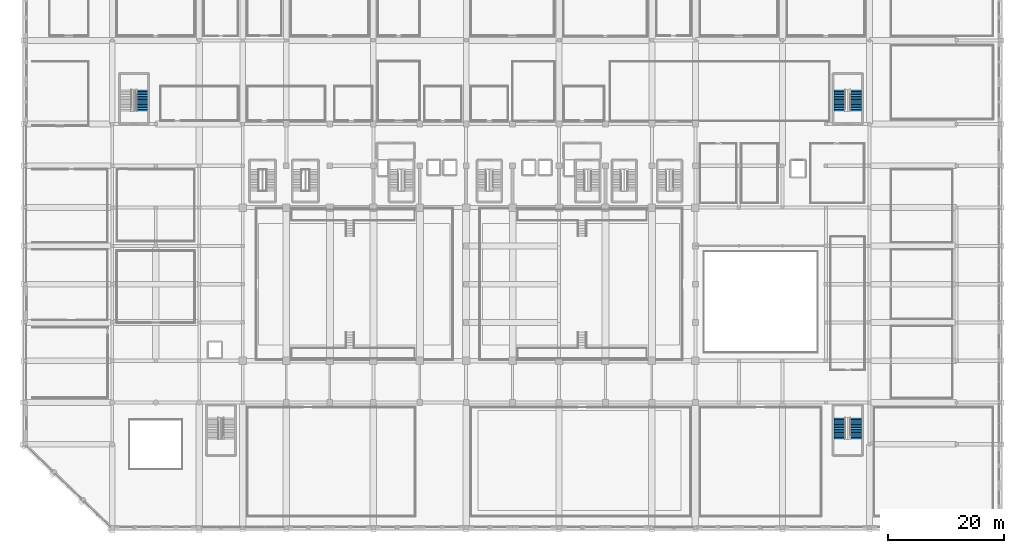
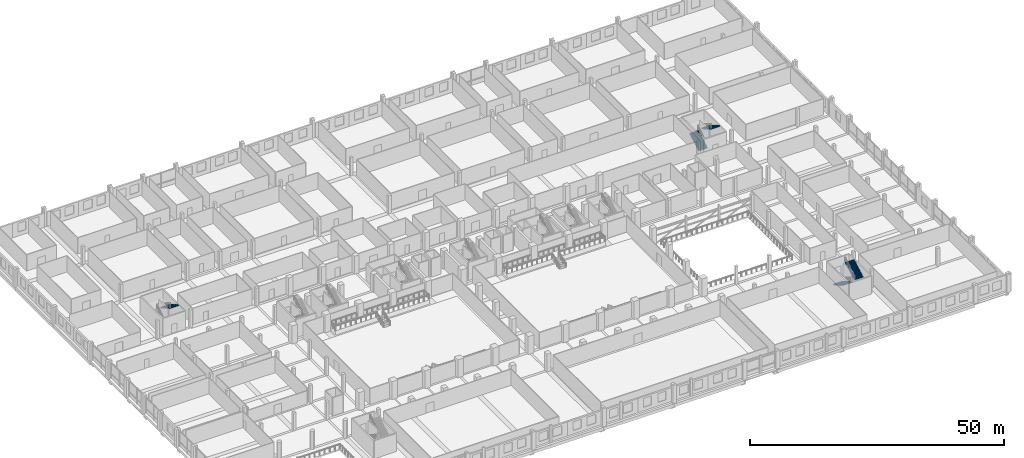
# One storey, part 57 of 68: 5 stair flights, 3 elements without a shape of their own.
"""IFC4 building model written with IfcOpenShell, lengths in metres."""

from ifc_helpers import new_model, si_unit, direction, frame, origin, place, context, subcontext, project, spatial, polyline, outline, extrude, material, type_object, element, aggregate, save


model = new_model("IFC4")

# Units and contexts
model_context = context("Model", 3, precision=1e-05, world=origin(), true_north=direction((0.0, 1.0)))
body_context = subcontext(model_context, "Body", "Model", "MODEL_VIEW")
ifc_project = project(units=[si_unit("LENGTHUNIT", "METRE"), si_unit("AREAUNIT", "SQUARE_METRE"), si_unit("VOLUMEUNIT", "CUBIC_METRE"), si_unit("PLANEANGLEUNIT", "RADIAN"), si_unit("MASSUNIT", "GRAM", prefix="KILO")], contexts=[model_context])

# Site, building, storey
site_placement = place(None, origin())
site = spatial("IfcSite", under=ifc_project, at=site_placement, CompositionType="ELEMENT")
building_placement = place(site_placement, origin())
building = spatial("IfcBuilding", under=site, at=building_placement, Name="Akrevak Sports Hall", CompositionType="ELEMENT")
storey_placement = place(building_placement, frame((0.0, 0.0, 9.39990234375)))
storey = spatial("IfcBuildingStorey", under=building, at=storey_placement, Name="L02", CompositionType="ELEMENT", Elevation=9.39990234375)

# Stair, stair flight
ifc_material = material(Name="Concrete C40/50", Category="concrete")
stair_type = type_object("IfcStairType", Name="ARC-STR-PDOG-460", PredefinedType="HALF_TURN_STAIR", material=ifc_material)
stair_1_placement = place(storey_placement, origin())
stair_1 = element("IfcStair", 1, at=stair_1_placement, inside=storey, type_object=stair_type, Name="Podium NW Exit Stair ST6 (L02 to L03)", PredefinedType="HALF_TURN_STAIR")
stair_flight_type = type_object("IfcStairFlightType", Name="ARC-FLT-225-164", PredefinedType="STRAIGHT", material=ifc_material)
stair_flight_1_placement = place(storey_placement, frame((20.114990234375, 75.489990234375, 2.300048828125), z_axis=(0.0, 0.0, 1.0), x_axis=(0.0, -1.0, 0.0)))
stair_flight_1 = element("IfcStairFlight", 2, at=stair_flight_1_placement, type_object=stair_flight_type, Name="Stair ST6 Flight 2 (L02)", NumberOfRisers=14, NumberOfTreads=13, PredefinedType="STRAIGHT", RiserHeight=0.164286, TreadLength=0.28, context=body_context, shape_type="SweptSolid", body=[
    extrude(outline(polyline([(0.0, 0.0), (0.0, 0.164306640625), (0.280029296875, 0.164306640625), (0.280029296875, 0.32861328125), (0.56005859375, 0.32861328125), (0.56005859375, 0.492919921875), (0.840087890625, 0.492919921875), (0.840087890625, 0.6572265625), (1.1201171875, 0.6572265625), (1.1201171875, 0.821533203125), (1.39990234375, 0.821533203125), (1.39990234375, 0.985595703125), (1.679931640625, 0.985595703125), (1.679931640625, 1.14990234375), (1.9599609375, 1.14990234375), (1.9599609375, 1.314208984375), (2.239990234375, 1.314208984375), (2.239990234375, 1.478515625), (2.52001953125, 1.478515625), (2.52001953125, 1.642822265625), (2.800048828125, 1.642822265625), (2.800048828125, 1.80712890625), (3.080078125, 1.80712890625), (3.080078125, 1.971435546875), (3.360107421875, 1.971435546875), (3.360107421875, 2.1357421875), (3.639892578125, 2.1357421875), (3.639892578125, 2.300048828125), (3.639892578125, 1.90380859375), (0.39501953125, 0.0), (0.0, 0.0)])), frame((0.0, 1.02490234375, 0.0), z_axis=(0.0, -1.0, 0.0), x_axis=(1.0, 0.0, 0.0)), (0.0, 0.0, 1.0), 2.050048828125),
])
aggregate(stair_1, [stair_flight_1])

# Stair, stair flights
stair_2_placement = place(storey_placement, origin())
stair_2 = element("IfcStair", 3, at=stair_2_placement, inside=storey, type_object=stair_type, Name="Podium SE Exit Stair ST7 (L02 to L03)", PredefinedType="HALF_TURN_STAIR")
stair_flight_2_placement = place(storey_placement, frame((140.385009765625, 18.949951171875, 0.0), z_axis=(0.0, 0.0, 1.0), x_axis=(0.0, -1.0, 0.0)))
stair_flight_2 = element("IfcStairFlight", 4, at=stair_flight_2_placement, type_object=stair_flight_type, Name="Stair ST7 Flight 1 (L02)", NumberOfRisers=14, NumberOfTreads=13, PredefinedType="STRAIGHT", RiserHeight=0.164286, TreadLength=0.28, context=body_context, shape_type="SweptSolid", body=[
    extrude(outline(polyline([(0.0, 0.0), (0.0, 0.164306640625), (0.280029296875, 0.164306640625), (0.280029296875, 0.32861328125), (0.56005859375, 0.32861328125), (0.56005859375, 0.492919921875), (0.840087890625, 0.492919921875), (0.840087890625, 0.6572265625), (1.1201171875, 0.6572265625), (1.1201171875, 0.821533203125), (1.39990234375, 0.821533203125), (1.39990234375, 0.985595703125), (1.679931640625, 0.985595703125), (1.679931640625, 1.14990234375), (1.9599609375, 1.14990234375), (1.9599609375, 1.314208984375), (2.239990234375, 1.314208984375), (2.239990234375, 1.478515625), (2.52001953125, 1.478515625), (2.52001953125, 1.642822265625), (2.800048828125, 1.642822265625), (2.800048828125, 1.80712890625), (3.080078125, 1.80712890625), (3.080078125, 1.971435546875), (3.360107421875, 1.971435546875), (3.360107421875, 2.1357421875), (3.639892578125, 2.1357421875), (3.639892578125, 2.300048828125), (3.639892578125, 1.90380859375), (0.39501953125, 0.0), (0.0, 0.0)])), frame((0.0, 1.02490234375, 0.0), z_axis=(0.0, -1.0, 0.0), x_axis=(1.0, 0.0, 0.0)), (0.0, 0.0, 1.0), 2.050048828125),
])
stair_flight_3_placement = place(storey_placement, frame((143.114990234375, 15.31005859375, 2.300048828125), z_axis=(0.0, 0.0, 1.0), x_axis=(0.0, 1.0, 0.0)))
stair_flight_3 = element("IfcStairFlight", 5, at=stair_flight_3_placement, type_object=stair_flight_type, Name="Stair ST7 Flight 2 (L02)", NumberOfRisers=14, NumberOfTreads=13, PredefinedType="STRAIGHT", RiserHeight=0.164286, TreadLength=0.28, context=body_context, shape_type="SweptSolid", body=[
    extrude(outline(polyline([(0.0, 0.0), (0.0, 0.164306640625), (0.280029296875, 0.164306640625), (0.280029296875, 0.32861328125), (0.56005859375, 0.32861328125), (0.56005859375, 0.492919921875), (0.840087890625, 0.492919921875), (0.840087890625, 0.6572265625), (1.1201171875, 0.6572265625), (1.1201171875, 0.821533203125), (1.39990234375, 0.821533203125), (1.39990234375, 0.985595703125), (1.679931640625, 0.985595703125), (1.679931640625, 1.14990234375), (1.9599609375, 1.14990234375), (1.9599609375, 1.314208984375), (2.239990234375, 1.314208984375), (2.239990234375, 1.478515625), (2.52001953125, 1.478515625), (2.52001953125, 1.642822265625), (2.800048828125, 1.642822265625), (2.800048828125, 1.80712890625), (3.080078125, 1.80712890625), (3.080078125, 1.971435546875), (3.360107421875, 1.971435546875), (3.360107421875, 2.1357421875), (3.639892578125, 2.1357421875), (3.639892578125, 2.300048828125), (3.639892578125, 1.90380859375), (0.39501953125, 0.0), (0.0, 0.0)])), frame((0.0, 1.02490234375, 0.0), z_axis=(0.0, -1.0, 0.0), x_axis=(1.0, 0.0, 0.0)), (0.0, 0.0, 1.0), 2.050048828125),
])
aggregate(stair_2, [stair_flight_2, stair_flight_3])

stair_3_placement = place(storey_placement, origin())
stair_3 = element("IfcStair", 6, at=stair_3_placement, inside=storey, type_object=stair_type, Name="Podium NE Exit Stair ST8 (L02 to L03)", PredefinedType="HALF_TURN_STAIR")
stair_flight_4_placement = place(storey_placement, frame((140.385009765625, 71.85009765625, 0.0), z_axis=(0.0, 0.0, 1.0), x_axis=(0.0, 1.0, 0.0)))
stair_flight_4 = element("IfcStairFlight", 7, at=stair_flight_4_placement, type_object=stair_flight_type, Name="Stair ST8 Flight 1 (L02)", NumberOfRisers=14, NumberOfTreads=13, PredefinedType="STRAIGHT", RiserHeight=0.164286, TreadLength=0.28, context=body_context, shape_type="SweptSolid", body=[
    extrude(outline(polyline([(0.0, 0.0), (0.0, 0.164306640625), (0.280029296875, 0.164306640625), (0.280029296875, 0.32861328125), (0.56005859375, 0.32861328125), (0.56005859375, 0.492919921875), (0.840087890625, 0.492919921875), (0.840087890625, 0.6572265625), (1.1201171875, 0.6572265625), (1.1201171875, 0.821533203125), (1.39990234375, 0.821533203125), (1.39990234375, 0.985595703125), (1.679931640625, 0.985595703125), (1.679931640625, 1.14990234375), (1.9599609375, 1.14990234375), (1.9599609375, 1.314208984375), (2.239990234375, 1.314208984375), (2.239990234375, 1.478515625), (2.52001953125, 1.478515625), (2.52001953125, 1.642822265625), (2.800048828125, 1.642822265625), (2.800048828125, 1.80712890625), (3.080078125, 1.80712890625), (3.080078125, 1.971435546875), (3.360107421875, 1.971435546875), (3.360107421875, 2.1357421875), (3.639892578125, 2.1357421875), (3.639892578125, 2.300048828125), (3.639892578125, 1.90380859375), (0.39501953125, 0.0), (0.0, 0.0)])), frame((0.0, 1.02490234375, 0.0), z_axis=(0.0, -1.0, 0.0), x_axis=(1.0, 0.0, 0.0)), (0.0, 0.0, 1.0), 2.050048828125),
])
stair_flight_5_placement = place(storey_placement, frame((143.114990234375, 75.489990234375, 2.300048828125), z_axis=(0.0, 0.0, 1.0), x_axis=(0.0, -1.0, 0.0)))
stair_flight_5 = element("IfcStairFlight", 8, at=stair_flight_5_placement, type_object=stair_flight_type, Name="Stair ST8 Flight 2 (L02)", NumberOfRisers=14, NumberOfTreads=13, PredefinedType="STRAIGHT", RiserHeight=0.164286, TreadLength=0.28, context=body_context, shape_type="SweptSolid", body=[
    extrude(outline(polyline([(0.0, 0.0), (0.0, 0.164306640625), (0.280029296875, 0.164306640625), (0.280029296875, 0.32861328125), (0.56005859375, 0.32861328125), (0.56005859375, 0.492919921875), (0.840087890625, 0.492919921875), (0.840087890625, 0.6572265625), (1.1201171875, 0.6572265625), (1.1201171875, 0.821533203125), (1.39990234375, 0.821533203125), (1.39990234375, 0.985595703125), (1.679931640625, 0.985595703125), (1.679931640625, 1.14990234375), (1.9599609375, 1.14990234375), (1.9599609375, 1.314208984375), (2.239990234375, 1.314208984375), (2.239990234375, 1.478515625), (2.52001953125, 1.478515625), (2.52001953125, 1.642822265625), (2.800048828125, 1.642822265625), (2.800048828125, 1.80712890625), (3.080078125, 1.80712890625), (3.080078125, 1.971435546875), (3.360107421875, 1.971435546875), (3.360107421875, 2.1357421875), (3.639892578125, 2.1357421875), (3.639892578125, 2.300048828125), (3.639892578125, 1.90380859375), (0.39501953125, 0.0), (0.0, 0.0)])), frame((0.0, 1.02490234375, 0.0), z_axis=(0.0, -1.0, 0.0), x_axis=(1.0, 0.0, 0.0)), (0.0, 0.0, 1.0), 2.050048828125),
])
aggregate(stair_3, [stair_flight_4, stair_flight_5])

save(model, "model.ifc")
